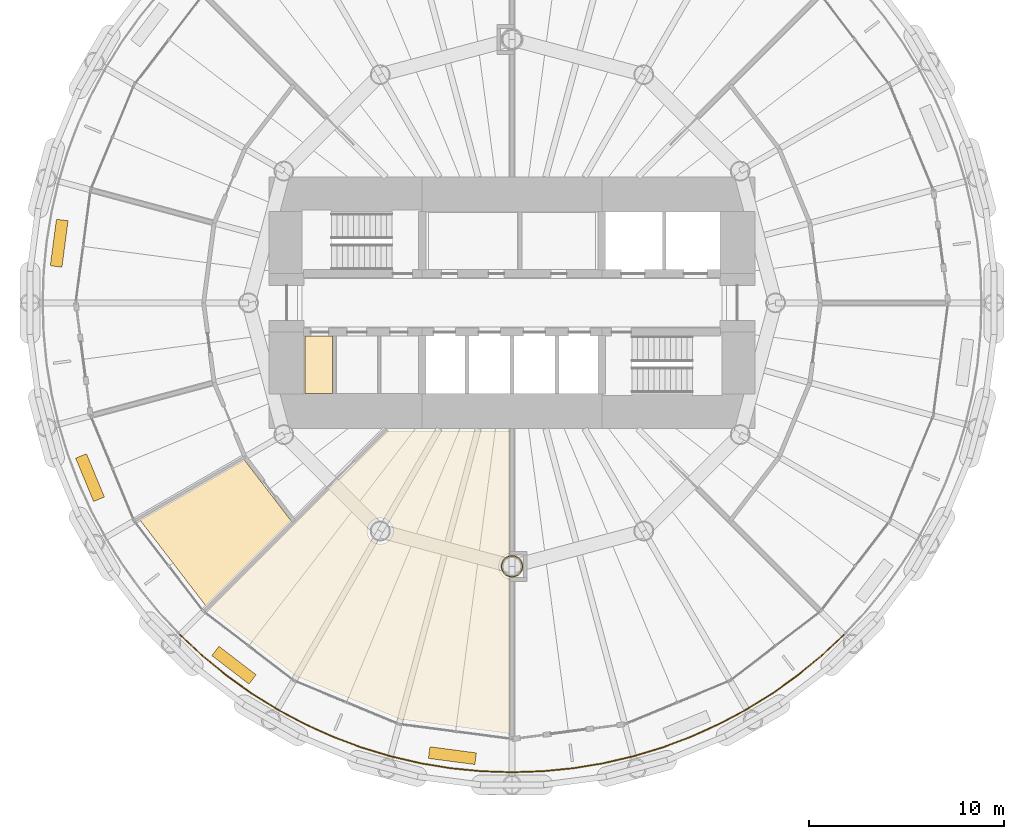
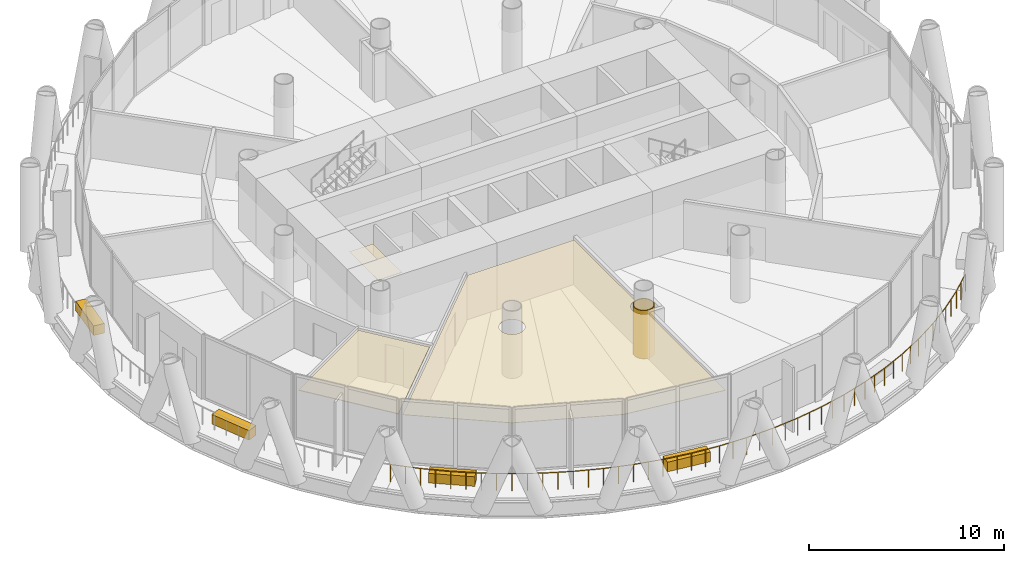
# One storey, part 12 of 15: 8 coverings, 1 railing.
"""IFC4 building model written with IfcOpenShell, lengths in metres."""

from ifc_helpers import new_model, si_unit, direction, frame, origin, origin_2d, place, context, subcontext, project, spatial, polyline, rectangle, circle, outline, extrude, material, layer, layer_set, type_object, element, save


model = new_model("IFC4")

# Units and contexts
model_context = context("Model", 3, precision=1e-05, world=origin(), true_north=direction((0.0, 1.0)))
body_context = subcontext(model_context, "Body", "Model", "MODEL_VIEW")
ifc_project = project(units=[si_unit("LENGTHUNIT", "METRE"), si_unit("AREAUNIT", "SQUARE_METRE"), si_unit("VOLUMEUNIT", "CUBIC_METRE"), si_unit("PLANEANGLEUNIT", "RADIAN"), si_unit("MASSUNIT", "GRAM", prefix="KILO")], contexts=[model_context])

# Site, building, storey
site_placement = place(None, origin())
site = spatial("IfcSite", under=ifc_project, at=site_placement, CompositionType="ELEMENT")
building_placement = place(site_placement, origin())
building = spatial("IfcBuilding", under=site, at=building_placement, Name="Qaws Media Tower", CompositionType="ELEMENT")
storey_placement = place(building_placement, frame((0.0, 0.0, 156.199951171875)))
storey = spatial("IfcBuildingStorey", under=building, at=storey_placement, Name="L35", CompositionType="ELEMENT", Elevation=156.199951171875)

# Covering
ifc_material_1 = material(Name="40 perforated acoustic panels with mineral wool backing, suspended", Category="mineral fibre")
ifc_layer_1 = layer(ifc_material_1, 0.0400390625)
ifc_layer_set_1 = layer_set([ifc_layer_1], Name="Acoustic panel ceiling 40")
covering_type_1 = type_object("IfcCoveringType", Name="Acoustic panel ceiling 40", PredefinedType="CEILING", material=ifc_layer_set_1)
covering_1_placement = place(storey_placement, frame((0.0, 0.0, 2.85009765625)))
element("IfcCovering", 1, at=covering_1_placement, inside=storey, type_object=covering_type_1, Name="CL3 ceiling L35-08 Meeting room", PredefinedType="CEILING", context=body_context, shape_type="SweptSolid", body=[
    extrude(outline(polyline([(40.942626953125, 38.867431640625), (46.28759765625, 41.953125), (48.678466796875, 38.83740234375), (44.314208984375, 34.473388671875), (40.942626953125, 38.867431640625)])), origin(), (0.0, 0.0, 1.0), 0.0400390625),
])

# Railing
ifc_material_2 = material(Name="Stainless steel and glass guard", Category="steel")
railing_type = type_object("IfcRailingType", Name="Balcony guard 1100", PredefinedType="GUARDRAIL", material=ifc_material_2)
railing_placement = place(storey_placement, frame((42.994140625, 32.994140625, 0.0)))
element("IfcRailing", 2, at=railing_placement, inside=storey, type_object=railing_type, Name="GR1 balcony guard L35-3", PredefinedType="GUARDRAIL", context=body_context, shape_type="SweptSolid", body=[
    extrude(circle(Radius=0.02392578125, at=origin_2d()), frame((0.0, 0.0, 1.076171875), z_axis=(0.729841890259, -0.683615985201, 0.0), x_axis=(0.683615985201, 0.729841890259, 0.0)), (0.0, 0.0, 1.0), 1.573974609375),
    extrude(circle(Radius=0.02392578125, at=origin_2d()), frame((1.148681640625, -1.075927734375, 1.076171875), z_axis=(0.773044110164, -0.634352271014, 0.0), x_axis=(0.634352271014, 0.773044110164, 0.0)), (0.0, 0.0, 1.0), 1.57373046875),
    extrude(circle(Radius=0.02392578125, at=origin_2d()), frame((2.365234375, -2.07421875, 1.076171875), z_axis=(0.812788968165, -0.582558231621, 0.0), x_axis=(0.582558231621, 0.812788968165, 0.0)), (0.0, 0.0, 1.0), 1.57373046875),
    extrude(circle(Radius=0.02392578125, at=origin_2d()), frame((3.644287109375, -2.990966796875, 1.076171875), z_axis=(0.84924209029, -0.52800366673, 0.0), x_axis=(0.52800366673, 0.84924209029, 0.0)), (0.0, 0.0, 1.0), 1.573974609375),
    extrude(circle(Radius=0.02392578125, at=origin_2d()), frame((4.98095703125, -3.822021484375, 1.076171875), z_axis=(0.881901645616, -0.471433439055, 0.0), x_axis=(0.471433439055, 0.881901645616, 0.0)), (0.0, 0.0, 1.0), 1.57373046875),
    extrude(circle(Radius=0.02392578125, at=origin_2d()), frame((6.368896484375, -4.56396484375, 1.076171875), z_axis=(0.910870560654, -0.412692163403, 0.0), x_axis=(0.412692163403, 0.910870560654, 0.0)), (0.0, 0.0, 1.0), 1.573486328125),
    extrude(circle(Radius=0.02392578125, at=origin_2d()), frame((7.80224609375, -5.21337890625, 1.076171875), z_axis=(0.935888558658, -0.352296190405, 0.0), x_axis=(0.352296190405, 0.935888558658, 0.0)), (0.0, 0.0, 1.0), 1.57373046875),
    extrude(circle(Radius=0.02392578125, at=origin_2d()), frame((9.275146484375, -5.767822265625, 1.076171875), z_axis=(0.956955230625, -0.290235570838, 0.0), x_axis=(0.290235570838, 0.956955230625, 0.0)), (0.0, 0.0, 1.0), 1.57373046875),
    extrude(circle(Radius=0.02392578125, at=origin_2d()), frame((10.78125, -6.224609375, 1.076171875), z_axis=(0.973870951279, -0.227102114156, 0.0), x_axis=(0.227102114156, 0.973870951279, 0.0)), (0.0, 0.0, 1.0), 1.57373046875),
    extrude(circle(Radius=0.02392578125, at=origin_2d()), frame((12.31396484375, -6.58203125, 1.076171875), z_axis=(0.986644335608, -0.16288939503, 0.0), x_axis=(0.16288939503, 0.986644335608, 0.0)), (0.0, 0.0, 1.0), 1.57373046875),
    extrude(circle(Radius=0.02392578125, at=origin_2d()), frame((13.86669921875, -6.83837890625, 1.076171875), z_axis=(0.995182038042, -0.098044434613, 0.0), x_axis=(0.098044434613, 0.995182038042, 0.0)), (0.0, 0.0, 1.0), 1.57373046875),
    extrude(circle(Radius=0.02392578125, at=origin_2d()), frame((15.432861328125, -6.99267578125, 1.076171875), z_axis=(0.999464191628, -0.032731172502, 0.0), x_axis=(0.032731172502, 0.999464191628, 0.0)), (0.0, 0.0, 1.0), 1.57373046875),
    extrude(circle(Radius=0.02392578125, at=origin_2d()), frame((17.005859375, -7.044189453125, 1.076171875), z_axis=(0.999464191628, 0.032731172502, 0.0), x_axis=(-0.032731172502, 0.999464191628, 0.0)), (0.0, 0.0, 1.0), 1.57373046875),
    extrude(circle(Radius=0.02392578125, at=origin_2d()), frame((18.578857421875, -6.99267578125, 1.076171875), z_axis=(0.995182038042, 0.098044434613, 0.0), x_axis=(-0.098044434613, 0.995182038042, 0.0)), (0.0, 0.0, 1.0), 1.57373046875),
    extrude(circle(Radius=0.02392578125, at=origin_2d()), frame((20.14501953125, -6.83837890625, 1.076171875), z_axis=(0.986644335608, 0.16288939503, 0.0), x_axis=(-0.16288939503, 0.986644335608, 0.0)), (0.0, 0.0, 1.0), 1.57373046875),
    extrude(circle(Radius=0.02392578125, at=origin_2d()), frame((21.69775390625, -6.58203125, 1.076171875), z_axis=(0.973870951279, 0.227102114156, 0.0), x_axis=(-0.227102114156, 0.973870951279, 0.0)), (0.0, 0.0, 1.0), 1.57373046875),
    extrude(circle(Radius=0.02392578125, at=origin_2d()), frame((23.23046875, -6.224609375, 1.076171875), z_axis=(0.956955230625, 0.290235570838, 0.0), x_axis=(-0.290235570838, 0.956955230625, 0.0)), (0.0, 0.0, 1.0), 1.57373046875),
    extrude(circle(Radius=0.02392578125, at=origin_2d()), frame((24.736572265625, -5.767822265625, 1.076171875), z_axis=(0.935888558658, 0.352296190405, 0.0), x_axis=(-0.352296190405, 0.935888558658, 0.0)), (0.0, 0.0, 1.0), 1.57373046875),
    extrude(circle(Radius=0.02392578125, at=origin_2d()), frame((26.20947265625, -5.21337890625, 1.076171875), z_axis=(0.910870560654, 0.412692163403, 0.0), x_axis=(-0.412692163403, 0.910870560654, 0.0)), (0.0, 0.0, 1.0), 1.573486328125),
    extrude(circle(Radius=0.02392578125, at=origin_2d()), frame((27.642822265625, -4.56396484375, 1.076171875), z_axis=(0.881901645616, 0.471433439055, 0.0), x_axis=(-0.471433439055, 0.881901645616, 0.0)), (0.0, 0.0, 1.0), 1.57373046875),
    extrude(circle(Radius=0.02392578125, at=origin_2d()), frame((29.03076171875, -3.822021484375, 1.076171875), z_axis=(0.84924209029, 0.52800366673, 0.0), x_axis=(-0.52800366673, 0.84924209029, 0.0)), (0.0, 0.0, 1.0), 1.573974609375),
    extrude(circle(Radius=0.02392578125, at=origin_2d()), frame((30.367431640625, -2.990966796875, 1.076171875), z_axis=(0.812788968165, 0.582558231621, 0.0), x_axis=(-0.582558231621, 0.812788968165, 0.0)), (0.0, 0.0, 1.0), 1.57373046875),
    extrude(circle(Radius=0.02392578125, at=origin_2d()), frame((31.646484375, -2.07421875, 1.076171875), z_axis=(0.773044110164, 0.634352271014, 0.0), x_axis=(-0.634352271014, 0.773044110164, 0.0)), (0.0, 0.0, 1.0), 1.57373046875),
    extrude(circle(Radius=0.02392578125, at=origin_2d()), frame((32.863037109375, -1.075927734375, 1.076171875), z_axis=(0.729841890259, 0.683615985201, 0.0), x_axis=(-0.683615985201, 0.729841890259, 0.0)), (0.0, 0.0, 1.0), 1.573974609375),
    extrude(circle(Radius=0.02099609375, at=origin_2d()), origin(), (0.0, 0.0, 1.0), 1.052001953125),
    extrude(circle(Radius=0.02099609375, at=origin_2d()), frame((0.57421875, -0.5380859375, 0.0)), (0.0, 0.0, 1.0), 1.052001953125),
    extrude(circle(Radius=0.02099609375, at=origin_2d()), frame((1.148681640625, -1.075927734375, 0.0)), (0.0, 0.0, 1.0), 1.052001953125),
    extrude(circle(Radius=0.02099609375, at=origin_2d()), frame((1.7568359375, -1.5751953125, 0.0)), (0.0, 0.0, 1.0), 1.052001953125),
    extrude(circle(Radius=0.02099609375, at=origin_2d()), frame((2.365234375, -2.07421875, 0.0)), (0.0, 0.0, 1.0), 1.052001953125),
    extrude(circle(Radius=0.02099609375, at=origin_2d()), frame((3.0048828125, -2.53271484375, 0.0)), (0.0, 0.0, 1.0), 1.052001953125),
    extrude(circle(Radius=0.02099609375, at=origin_2d()), frame((3.644287109375, -2.990966796875, 0.0)), (0.0, 0.0, 1.0), 1.052001953125),
    extrude(circle(Radius=0.02099609375, at=origin_2d()), frame((4.3125, -3.406494140625, 0.0)), (0.0, 0.0, 1.0), 1.052001953125),
    extrude(circle(Radius=0.02099609375, at=origin_2d()), frame((4.98095703125, -3.822021484375, 0.0)), (0.0, 0.0, 1.0), 1.052001953125),
    extrude(circle(Radius=0.02099609375, at=origin_2d()), frame((5.6748046875, -4.19287109375, 0.0)), (0.0, 0.0, 1.0), 1.052001953125),
    extrude(circle(Radius=0.02099609375, at=origin_2d()), frame((6.368896484375, -4.56396484375, 0.0)), (0.0, 0.0, 1.0), 1.052001953125),
    extrude(circle(Radius=0.02099609375, at=origin_2d()), frame((7.08544921875, -4.888671875, 0.0)), (0.0, 0.0, 1.0), 1.052001953125),
    extrude(circle(Radius=0.02099609375, at=origin_2d()), frame((7.80224609375, -5.21337890625, 0.0)), (0.0, 0.0, 1.0), 1.052001953125),
    extrude(circle(Radius=0.02099609375, at=origin_2d()), frame((8.53857421875, -5.49072265625, 0.0)), (0.0, 0.0, 1.0), 1.052001953125),
    extrude(circle(Radius=0.02099609375, at=origin_2d()), frame((9.275146484375, -5.767822265625, 0.0)), (0.0, 0.0, 1.0), 1.052001953125),
    extrude(circle(Radius=0.02099609375, at=origin_2d()), frame((10.0283203125, -5.99609375, 0.0)), (0.0, 0.0, 1.0), 1.052001953125),
    extrude(circle(Radius=0.02099609375, at=origin_2d()), frame((10.78125, -6.224609375, 0.0)), (0.0, 0.0, 1.0), 1.052001953125),
    extrude(circle(Radius=0.02099609375, at=origin_2d()), frame((11.547607421875, -6.4033203125, 0.0)), (0.0, 0.0, 1.0), 1.052001953125),
    extrude(circle(Radius=0.02099609375, at=origin_2d()), frame((12.31396484375, -6.58203125, 0.0)), (0.0, 0.0, 1.0), 1.052001953125),
    extrude(circle(Radius=0.02099609375, at=origin_2d()), frame((13.09033203125, -6.710205078125, 0.0)), (0.0, 0.0, 1.0), 1.052001953125),
    extrude(circle(Radius=0.02099609375, at=origin_2d()), frame((13.86669921875, -6.83837890625, 0.0)), (0.0, 0.0, 1.0), 1.052001953125),
    extrude(circle(Radius=0.02099609375, at=origin_2d()), frame((14.64990234375, -6.91552734375, 0.0)), (0.0, 0.0, 1.0), 1.052001953125),
    extrude(circle(Radius=0.02099609375, at=origin_2d()), frame((15.432861328125, -6.99267578125, 0.0)), (0.0, 0.0, 1.0), 1.052001953125),
    extrude(circle(Radius=0.02099609375, at=origin_2d()), frame((16.21923828125, -7.0185546875, 0.0)), (0.0, 0.0, 1.0), 1.052001953125),
    extrude(circle(Radius=0.02099609375, at=origin_2d()), frame((17.005859375, -7.044189453125, 0.0)), (0.0, 0.0, 1.0), 1.052001953125),
    extrude(circle(Radius=0.02099609375, at=origin_2d()), frame((17.79248046875, -7.0185546875, 0.0)), (0.0, 0.0, 1.0), 1.052001953125),
    extrude(circle(Radius=0.02099609375, at=origin_2d()), frame((18.578857421875, -6.99267578125, 0.0)), (0.0, 0.0, 1.0), 1.052001953125),
    extrude(circle(Radius=0.02099609375, at=origin_2d()), frame((19.36181640625, -6.91552734375, 0.0)), (0.0, 0.0, 1.0), 1.052001953125),
    extrude(circle(Radius=0.02099609375, at=origin_2d()), frame((20.14501953125, -6.83837890625, 0.0)), (0.0, 0.0, 1.0), 1.052001953125),
    extrude(circle(Radius=0.02099609375, at=origin_2d()), frame((20.92138671875, -6.710205078125, 0.0)), (0.0, 0.0, 1.0), 1.052001953125),
    extrude(circle(Radius=0.02099609375, at=origin_2d()), frame((21.69775390625, -6.58203125, 0.0)), (0.0, 0.0, 1.0), 1.052001953125),
    extrude(circle(Radius=0.02099609375, at=origin_2d()), frame((22.464111328125, -6.4033203125, 0.0)), (0.0, 0.0, 1.0), 1.052001953125),
    extrude(circle(Radius=0.02099609375, at=origin_2d()), frame((23.23046875, -6.224609375, 0.0)), (0.0, 0.0, 1.0), 1.052001953125),
    extrude(circle(Radius=0.02099609375, at=origin_2d()), frame((23.9833984375, -5.99609375, 0.0)), (0.0, 0.0, 1.0), 1.052001953125),
    extrude(circle(Radius=0.02099609375, at=origin_2d()), frame((24.736572265625, -5.767822265625, 0.0)), (0.0, 0.0, 1.0), 1.052001953125),
    extrude(circle(Radius=0.02099609375, at=origin_2d()), frame((25.47314453125, -5.49072265625, 0.0)), (0.0, 0.0, 1.0), 1.052001953125),
    extrude(circle(Radius=0.02099609375, at=origin_2d()), frame((26.20947265625, -5.21337890625, 0.0)), (0.0, 0.0, 1.0), 1.052001953125),
    extrude(circle(Radius=0.02099609375, at=origin_2d()), frame((26.92626953125, -4.888671875, 0.0)), (0.0, 0.0, 1.0), 1.052001953125),
    extrude(circle(Radius=0.02099609375, at=origin_2d()), frame((27.642822265625, -4.56396484375, 0.0)), (0.0, 0.0, 1.0), 1.052001953125),
    extrude(circle(Radius=0.02099609375, at=origin_2d()), frame((28.3369140625, -4.19287109375, 0.0)), (0.0, 0.0, 1.0), 1.052001953125),
    extrude(circle(Radius=0.02099609375, at=origin_2d()), frame((29.03076171875, -3.822021484375, 0.0)), (0.0, 0.0, 1.0), 1.052001953125),
    extrude(circle(Radius=0.02099609375, at=origin_2d()), frame((29.69921875, -3.406494140625, 0.0)), (0.0, 0.0, 1.0), 1.052001953125),
    extrude(circle(Radius=0.02099609375, at=origin_2d()), frame((30.367431640625, -2.990966796875, 0.0)), (0.0, 0.0, 1.0), 1.052001953125),
    extrude(circle(Radius=0.02099609375, at=origin_2d()), frame((31.0068359375, -2.53271484375, 0.0)), (0.0, 0.0, 1.0), 1.052001953125),
    extrude(circle(Radius=0.02099609375, at=origin_2d()), frame((31.646484375, -2.07421875, 0.0)), (0.0, 0.0, 1.0), 1.052001953125),
    extrude(circle(Radius=0.02099609375, at=origin_2d()), frame((32.2548828125, -1.5751953125, 0.0)), (0.0, 0.0, 1.0), 1.052001953125),
    extrude(circle(Radius=0.02099609375, at=origin_2d()), frame((32.863037109375, -1.075927734375, 0.0)), (0.0, 0.0, 1.0), 1.052001953125),
    extrude(circle(Radius=0.02099609375, at=origin_2d()), frame((33.4375, -0.5380859375, 0.0)), (0.0, 0.0, 1.0), 1.052001953125),
    extrude(circle(Radius=0.02099609375, at=origin_2d()), frame((34.01171875, 0.0, 0.0)), (0.0, 0.0, 1.0), 1.052001953125),
])

# Coverings
ifc_material_3 = material(Name="Two layers 15 fire-rated gypsum board on steel framing", Category="steel")
ifc_layer_2 = layer(ifc_material_3, 0.050048828125)
ifc_layer_set_2 = layer_set([ifc_layer_2], Name="Column fire casing")
covering_type_2 = type_object("IfcCoveringType", Name="Column fire casing", PredefinedType="CLADDING", material=ifc_layer_set_2)
covering_2_placement = place(storey_placement, origin())
element("IfcCovering", 3, at=covering_2_placement, inside=storey, type_object=covering_type_2, Name="CC1 column casing L35", PredefinedType="CLADDING", context=body_context, shape_type="SweptSolid", body=[
    extrude(outline(polyline([(60.56298828125, 36.5), (60.55810546875, 36.426513671875), (60.543701171875, 36.354248046875), (60.52001953125, 36.284423828125), (60.487548828125, 36.218505859375), (60.44677734375, 36.1572265625), (60.398193359375, 36.101806640625), (60.3427734375, 36.05322265625), (60.281494140625, 36.012451171875), (60.215576171875, 35.97998046875), (60.145751953125, 35.956298828125), (60.073486328125, 35.94189453125), (60.0, 35.93701171875), (59.926513671875, 35.94189453125), (59.854248046875, 35.956298828125), (59.784423828125, 35.97998046875), (59.718505859375, 36.012451171875), (59.6572265625, 36.05322265625), (59.601806640625, 36.101806640625), (59.55322265625, 36.1572265625), (59.512451171875, 36.218505859375), (59.47998046875, 36.284423828125), (59.456298828125, 36.354248046875), (59.44189453125, 36.426513671875), (59.43701171875, 36.5), (59.44189453125, 36.573486328125), (59.456298828125, 36.645751953125), (59.47998046875, 36.715576171875), (59.512451171875, 36.781494140625), (59.55322265625, 36.8427734375), (59.601806640625, 36.898193359375), (59.6572265625, 36.94677734375), (59.718505859375, 36.987548828125), (59.784423828125, 37.02001953125), (59.854248046875, 37.043701171875), (59.926513671875, 37.05810546875), (60.0, 37.06298828125), (60.073486328125, 37.05810546875), (60.145751953125, 37.043701171875), (60.215576171875, 37.02001953125), (60.281494140625, 36.987548828125), (60.3427734375, 36.94677734375), (60.398193359375, 36.898193359375), (60.44677734375, 36.8427734375), (60.487548828125, 36.781494140625), (60.52001953125, 36.715576171875), (60.543701171875, 36.645751953125), (60.55810546875, 36.573486328125), (60.56298828125, 36.5)]), holes=[polyline([(60.510986328125, 36.5), (60.506591796875, 36.433349609375), (60.49365234375, 36.36767578125), (60.47216796875, 36.304443359375), (60.4423828125, 36.244384765625), (60.405517578125, 36.18896484375), (60.361328125, 36.138671875), (60.31103515625, 36.094482421875), (60.255615234375, 36.0576171875), (60.195556640625, 36.02783203125), (60.13232421875, 36.00634765625), (60.066650390625, 35.993408203125), (60.0, 35.989013671875), (59.933349609375, 35.993408203125), (59.86767578125, 36.00634765625), (59.804443359375, 36.02783203125), (59.744384765625, 36.0576171875), (59.68896484375, 36.094482421875), (59.638671875, 36.138671875), (59.594482421875, 36.18896484375), (59.5576171875, 36.244384765625), (59.52783203125, 36.304443359375), (59.50634765625, 36.36767578125), (59.493408203125, 36.433349609375), (59.489013671875, 36.5), (59.493408203125, 36.566650390625), (59.50634765625, 36.63232421875), (59.52783203125, 36.695556640625), (59.5576171875, 36.755615234375), (59.594482421875, 36.81103515625), (59.638671875, 36.861328125), (59.68896484375, 36.905517578125), (59.744384765625, 36.9423828125), (59.804443359375, 36.97216796875), (59.86767578125, 36.99365234375), (59.933349609375, 37.006591796875), (60.0, 37.010986328125), (60.066650390625, 37.006591796875), (60.13232421875, 36.99365234375), (60.195556640625, 36.97216796875), (60.255615234375, 36.9423828125), (60.31103515625, 36.905517578125), (60.361328125, 36.861328125), (60.405517578125, 36.81103515625), (60.4423828125, 36.755615234375), (60.47216796875, 36.695556640625), (60.49365234375, 36.63232421875), (60.506591796875, 36.566650390625), (60.510986328125, 36.5)])]), origin(), (0.0, 0.0, 1.0), 3.011962890625),
])
ifc_material_4 = material(Name="600 x 600 mineral fibre tiles in exposed grid, suspended", Category="mineral fibre")
ifc_layer_3 = layer(ifc_material_4, 0.02001953125)
ifc_layer_set_3 = layer_set([ifc_layer_3], Name="Mineral fibre tile ceiling 20")
covering_type_3 = type_object("IfcCoveringType", Name="Mineral fibre tile ceiling 20", PredefinedType="CEILING", material=ifc_layer_set_3)
covering_3_placement = place(storey_placement, frame((0.0, 0.0, 2.85009765625)))
element("IfcCovering", 4, at=covering_3_placement, inside=storey, type_object=covering_type_3, Name="CL1 ceiling L35-C04 Cleaner's room", PredefinedType="CEILING", context=body_context, shape_type="SweptSolid", body=[
    extrude(outline(polyline([(49.39990234375, 45.35009765625), (49.39990234375, 48.300048828125), (50.800048828125, 48.300048828125), (50.800048828125, 45.35009765625), (49.39990234375, 45.35009765625)])), origin(), (0.0, 0.0, 1.0), 0.02001953125),
])
ifc_material_5 = material(Name="Precast concrete planter with trailing planting", Category="concrete")
ifc_layer_4 = layer(ifc_material_5, 0.60009765625)
ifc_layer_set_4 = layer_set([ifc_layer_4], Name="Planter 2400x600")
covering_type_4 = type_object("IfcCoveringType", Name="Planter 2400x600", PredefinedType="USERDEFINED", material=ifc_layer_set_4)
for number, where, z_axis, x_axis, name in (
    (5, (36.80029296875, 53.05419921875, 0.0), (0.0, 0.0, 1.0), (-0.13052619222, -0.991444861374, 0.0), "PL1 balcony planter L35-06"),
    (6, (38.381103515625, 41.045166015625, 0.0), (0.0, 0.0, 1.0), (0.382683432365, -0.923879532511, 0.0), "PL1 balcony planter L35-07"),
    (7, (45.7548828125, 31.435546875, 0.0), (0.0, 0.0, 1.0), (0.793353340291, -0.608761429009, 0.0), "PL1 balcony planter L35-08"),
    (8, (56.94580078125, 26.80029296875, 0.0), (0.0, 0.0, 1.0), (0.991444861374, -0.13052619222, 0.0), "PL1 balcony planter L35-09"),
):
    element("IfcCovering", number, at=place(storey_placement, frame(where, z_axis=z_axis, x_axis=x_axis)), inside=storey, type_object=covering_type_4, Name=name, ObjectType="PLANTER", PredefinedType="USERDEFINED", context=body_context, shape_type="SweptSolid", body=[
        extrude(rectangle(XDim=2.39990234375, YDim=0.60009765625, at=origin_2d()), origin(), (0.0, 0.0, 1.0), 0.60009765625),
    ])
ifc_material_6 = material(Name="Two layers 12.5 moisture-resistant plasterboard on suspended metal furring", Category="gypsum")
ifc_layer_5 = layer(ifc_material_6, 0.02490234375)
ifc_layer_set_5 = layer_set([ifc_layer_5], Name="Plasterboard ceiling 25")
covering_type_5 = type_object("IfcCoveringType", Name="Plasterboard ceiling 25", PredefinedType="CEILING", material=ifc_layer_set_5)
covering_4_placement = place(storey_placement, frame((0.0, 0.0, 2.85009765625)))
element("IfcCovering", 9, at=covering_4_placement, inside=storey, type_object=covering_type_5, Name="CL2 ceiling L35-09 IT project office", PredefinedType="CEILING", context=body_context, shape_type="SweptSolid", body=[
    extrude(outline(polyline([(54.283935546875, 28.667236328125), (48.95751953125, 30.87353515625), (44.473388671875, 34.314208984375), (53.5966796875, 43.4375), (59.887451171875, 43.4375), (59.887451171875, 37.1572265625), (59.8271484375, 37.145263671875), (59.744384765625, 37.1171875), (59.666015625, 37.07861328125), (59.59326171875, 37.030029296875), (59.527587890625, 36.972412109375), (59.469970703125, 36.90673828125), (59.42138671875, 36.833984375), (59.3828125, 36.755615234375), (59.354736328125, 36.6728515625), (59.337646484375, 36.587158203125), (59.33203125, 36.5), (59.337646484375, 36.412841796875), (59.354736328125, 36.3271484375), (59.3828125, 36.244384765625), (59.42138671875, 36.166015625), (59.469970703125, 36.09326171875), (59.527587890625, 36.027587890625), (59.59326171875, 35.969970703125), (59.666015625, 35.92138671875), (59.744384765625, 35.8828125), (59.8271484375, 35.854736328125), (59.887451171875, 35.8427734375), (59.887451171875, 27.9296875), (54.283935546875, 28.667236328125)]), holes=[polyline([(53.895263671875, 38.1357421875), (53.912353515625, 38.221435546875), (53.91796875, 38.30859375), (53.912353515625, 38.395751953125), (53.895263671875, 38.4814453125), (53.8671875, 38.564208984375), (53.82861328125, 38.642578125), (53.780029296875, 38.71533203125), (53.722412109375, 38.781005859375), (53.65673828125, 38.838623046875), (53.583984375, 38.88720703125), (53.505615234375, 38.92578125), (53.4228515625, 38.953857421875), (53.337158203125, 38.970947265625), (53.25, 38.976806640625), (53.162841796875, 38.970947265625), (53.0771484375, 38.953857421875), (52.994384765625, 38.92578125), (52.916015625, 38.88720703125), (52.84326171875, 38.838623046875), (52.777587890625, 38.781005859375), (52.719970703125, 38.71533203125), (52.67138671875, 38.642578125), (52.6328125, 38.564208984375), (52.604736328125, 38.4814453125), (52.587646484375, 38.395751953125), (52.58203125, 38.30859375), (52.587646484375, 38.221435546875), (52.604736328125, 38.1357421875), (52.6328125, 38.052978515625), (52.67138671875, 37.974609375), (52.719970703125, 37.902099609375), (52.777587890625, 37.836181640625), (52.84326171875, 37.77880859375), (52.916015625, 37.730224609375), (52.994384765625, 37.69140625), (53.0771484375, 37.663330078125), (53.162841796875, 37.646484375), (53.25, 37.640625), (53.337158203125, 37.646484375), (53.4228515625, 37.663330078125), (53.505615234375, 37.69140625), (53.583984375, 37.730224609375), (53.65673828125, 37.77880859375), (53.722412109375, 37.836181640625), (53.780029296875, 37.902099609375), (53.82861328125, 37.974609375), (53.8671875, 38.052978515625), (53.895263671875, 38.1357421875)])]), origin(), (0.0, 0.0, 1.0), 0.02490234375),
])

save(model, "model.ifc")
